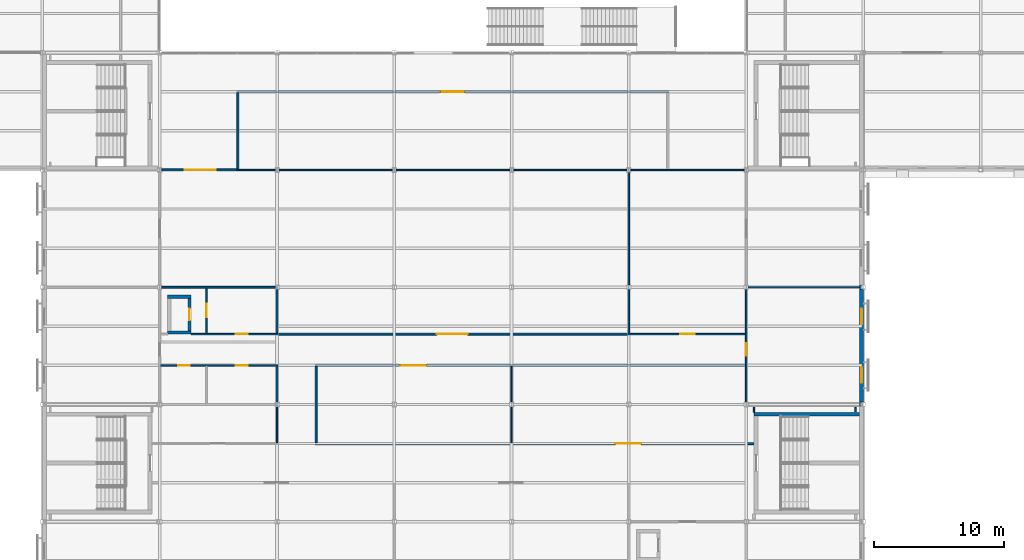
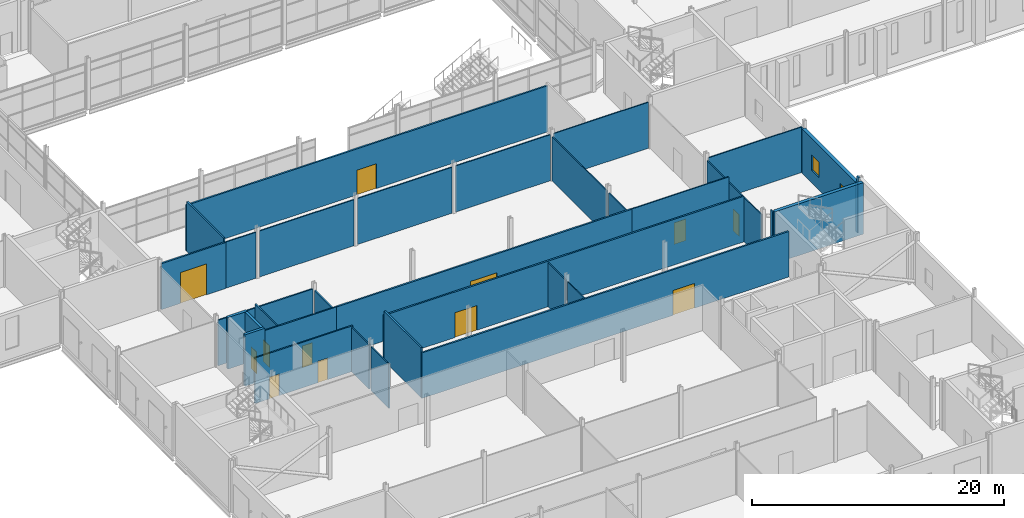
# One storey, part 80 of 112: 35 walls, 12 doors, 2 windows, 14 openings.
"""IFC4 building model written with IfcOpenShell, lengths in metres."""

from ifc_helpers import new_model, si_unit, direction, frame, frame_2d, origin, place, context, subcontext, project, spatial, rectangle, extrude, material, layer, layer_set, type_object, element, fill, save


model = new_model("IFC4")

# Units and contexts
model_context = context("Model", 3, precision=1e-05, world=origin(), true_north=direction((0.0, 1.0)))
body_context = subcontext(model_context, "Body", "Model", "MODEL_VIEW")
ifc_project = project(units=[si_unit("LENGTHUNIT", "METRE"), si_unit("AREAUNIT", "SQUARE_METRE"), si_unit("VOLUMEUNIT", "CUBIC_METRE"), si_unit("PLANEANGLEUNIT", "RADIAN"), si_unit("MASSUNIT", "GRAM", prefix="KILO")], contexts=[model_context])

# Site, building, storey
site_placement = place(None, origin())
site = spatial("IfcSite", under=ifc_project, at=site_placement, CompositionType="ELEMENT")
building_placement = place(site_placement, origin())
building = spatial("IfcBuilding", under=site, at=building_placement, Name="Shorebreak Coast Museum", CompositionType="ELEMENT")
storey_placement = place(building_placement, frame((0.0, 0.0, 6.0)))
storey = spatial("IfcBuildingStorey", under=building, at=storey_placement, Name="L01", CompositionType="ELEMENT", Elevation=6.0)

# Walls
ifc_material_1 = material(Name="Concrete N50 (50 MPa)", Category="concrete")
ifc_layer_1 = layer(ifc_material_1, 0.14990234375)
ifc_layer_set_1 = layer_set([ifc_layer_1], Name="Concrete N50 (50 MPa)")
wall_type_1 = type_object("IfcWallType", Name="Column closure panel 150", PredefinedType="SOLIDWALL", material=ifc_layer_set_1)
wall_1_placement = place(storey_placement, frame((116.77490234375, 35.85009765625, 0.0), z_axis=(0.0, 0.0, 1.0), x_axis=(0.0, 1.0, 0.0)))
element("IfcWall", 1, at=wall_1_placement, inside=storey, type_object=wall_type_1, Name="Column closure panel L01 E 14E", PredefinedType="SOLIDWALL", context=body_context, shape_type="SweptSolid", body=[
    extrude(rectangle(XDim=0.322021484375, YDim=0.14990234375, at=frame_2d((0.1611328125, 0.0))), origin(), (0.0, 0.0, 1.0), 5.0),
])
wall_2_placement = place(storey_placement, frame((116.77490234375, 44.839111328125, 0.0), z_axis=(0.0, 0.0, 1.0), x_axis=(0.0, 1.0, 0.0)))
element("IfcWall", 2, at=wall_2_placement, inside=storey, type_object=wall_type_1, Name="Column closure panel L01 E 14F", PredefinedType="SOLIDWALL", context=body_context, shape_type="SweptSolid", body=[
    extrude(rectangle(XDim=0.32177734375, YDim=0.14990234375, at=frame_2d((0.160888671875, 0.0))), origin(), (0.0, 0.0, 1.0), 4.296875),
])

# Wall, opening, door
ifc_material_2 = material(Name="Plasterboard on steel stud", Category="steel")
ifc_layer_2 = layer(ifc_material_2, 0.14990234375)
ifc_layer_set_2 = layer_set([ifc_layer_2], Name="Plasterboard on steel stud")
wall_type_2 = type_object("IfcWallType", Name="Fire partition 150", PredefinedType="PARTITIONING", material=ifc_layer_set_2)
wall_3_placement = place(storey_placement, frame((74.925048828125, 33.0, 0.0), z_axis=(0.0, 0.0, 1.0), x_axis=(1.0, 0.0, 0.0)))
wall_3 = element("IfcWall", 3, at=wall_3_placement, inside=storey, type_object=wall_type_2, Name="Partition L01-018", PredefinedType="PARTITIONING", context=body_context, shape_type="SweptSolid", body=[
    extrude(rectangle(XDim=33.675048828125, YDim=0.14990234375, at=frame_2d((16.83740234375, 0.0))), origin(), (0.0, 0.0, 1.0), 4.418701171875),
])
opening_1_placement = place(wall_3_placement, frame((23.02490234375, 0.0, 0.0)))
opening_1 = element("IfcOpeningElement", 4, at=opening_1_placement, cuts=wall_3, Name="Opening D1031", PredefinedType="OPENING", context=body_context, shape_type="SweptSolid", body=[
    extrude(rectangle(XDim=2.0, YDim=2.39990234375, at=frame_2d((1.0, 1.199951171875))), frame((0.0, 0.0849609375, 0.0), z_axis=(0.0, -1.0, 0.0), x_axis=(1.0, 0.0, 0.0)), (0.0, 0.0, 1.0), 0.169921875),
])
ifc_material_3 = material(Name="Steel", Category="steel")
door_type_1 = type_object("IfcDoorType", Name="Fire door 2000x2400 60", OperationType="DOUBLE_DOOR_SINGLE_SWING", PredefinedType="DOOR", material=ifc_material_3)
door_1_placement = place(opening_1_placement, origin())
door_1 = element("IfcDoor", 5, at=door_1_placement, inside=storey, type_object=door_type_1, Name="Door D1031 Archive 1.04", OperationType="DOUBLE_DOOR_SINGLE_SWING", OverallHeight=2.39990234375, OverallWidth=2.0, PredefinedType="DOOR", context=body_context, shape_type="SweptSolid", body=[
    extrude(rectangle(XDim=2.0, YDim=2.39990234375, at=frame_2d((1.0, 1.199951171875))), frame((0.0, 0.02490234375, 0.0), z_axis=(0.0, -1.0, 0.0), x_axis=(1.0, 0.0, 0.0)), (0.0, 0.0, 1.0), 0.050048828125),
])
fill(opening_1, door_1)

wall_4_placement = place(storey_placement, frame((74.925048828125, 39.0, 0.0), z_axis=(0.0, 0.0, 1.0), x_axis=(1.0, 0.0, 0.0)))
wall_4 = element("IfcWall", 6, at=wall_4_placement, inside=storey, type_object=wall_type_2, Name="Partition L01-021", PredefinedType="PARTITIONING", context=body_context, shape_type="SweptSolid", body=[
    extrude(rectangle(XDim=33.02490234375, YDim=0.14990234375, at=frame_2d((16.512451171875, 0.0))), origin(), (0.0, 0.0, 1.0), 4.418701171875),
])
opening_2_placement = place(wall_4_placement, frame((6.52490234375, 0.0, 0.0)))
opening_2 = element("IfcOpeningElement", 7, at=opening_2_placement, cuts=wall_4, Name="Opening D1030", PredefinedType="OPENING", context=body_context, shape_type="SweptSolid", body=[
    extrude(rectangle(XDim=2.0, YDim=2.39990234375, at=frame_2d((1.0, 1.199951171875))), frame((0.0, 0.0849609375, 0.0), z_axis=(0.0, -1.0, 0.0), x_axis=(1.0, 0.0, 0.0)), (0.0, 0.0, 1.0), 0.169921875),
])
door_2_placement = place(opening_2_placement, origin())
door_2 = element("IfcDoor", 8, at=door_2_placement, inside=storey, type_object=door_type_1, Name="Door D1030 Archive 1.03", OperationType="DOUBLE_DOOR_SINGLE_SWING", OverallHeight=2.39990234375, OverallWidth=2.0, PredefinedType="DOOR", context=body_context, shape_type="SweptSolid", body=[
    extrude(rectangle(XDim=2.0, YDim=2.39990234375, at=frame_2d((1.0, 1.199951171875))), frame((0.0, 0.02490234375, 0.0), z_axis=(0.0, -1.0, 0.0), x_axis=(1.0, 0.0, 0.0)), (0.0, 0.0, 1.0), 0.050048828125),
])
fill(opening_2, door_2)

wall_5_placement = place(storey_placement, frame((71.9375, 41.39990234375, 0.0), z_axis=(0.0, 0.0, 1.0), x_axis=(1.0, 0.0, 0.0)))
wall_5 = element("IfcWall", 9, at=wall_5_placement, inside=storey, type_object=wall_type_2, Name="Partition L01-024", PredefinedType="PARTITIONING", context=body_context, shape_type="SweptSolid", body=[
    extrude(rectangle(XDim=27.112548828125, YDim=0.14990234375, at=frame_2d((13.55615234375, 0.0))), origin(), (0.0, 0.0, 1.0), 4.824951171875),
])
opening_3_placement = place(wall_5_placement, frame((12.3125, 0.0, 0.0)))
opening_3 = element("IfcOpeningElement", 10, at=opening_3_placement, cuts=wall_5, Name="Opening D1039", PredefinedType="OPENING", context=body_context, shape_type="SweptSolid", body=[
    extrude(rectangle(XDim=2.39990234375, YDim=3.0, at=frame_2d((1.199951171875, 1.5))), frame((0.0, 0.0849609375, 0.0), z_axis=(0.0, -1.0, 0.0), x_axis=(1.0, 0.0, 0.0)), (0.0, 0.0, 1.0), 0.169921875),
])
ifc_material_4 = material(Name="Steel", Category="steel")
door_type_2 = type_object("IfcDoorType", Name="Fire door 2400x3000 60", OperationType="DOUBLE_DOOR_SINGLE_SWING", PredefinedType="DOOR", material=ifc_material_4)
door_3_placement = place(opening_3_placement, origin())
door_3 = element("IfcDoor", 11, at=door_3_placement, inside=storey, type_object=door_type_2, Name="Door D1039 Archive 1.05", OperationType="DOUBLE_DOOR_SINGLE_SWING", OverallHeight=3.0, OverallWidth=2.39990234375, PredefinedType="DOOR", context=body_context, shape_type="SweptSolid", body=[
    extrude(rectangle(XDim=2.39990234375, YDim=3.0, at=frame_2d((1.199951171875, 1.5))), frame((0.0, 0.02490234375, 0.0), z_axis=(0.0, -1.0, 0.0), x_axis=(1.0, 0.0, 0.0)), (0.0, 0.0, 1.0), 0.050048828125),
])
fill(opening_3, door_3)

wall_6_placement = place(storey_placement, frame((63.154541015625, 54.0, 0.0), z_axis=(0.0, 0.0, 1.0), x_axis=(1.0, 0.0, 0.0)))
wall_6 = element("IfcWall", 12, at=wall_6_placement, inside=storey, type_object=wall_type_2, Name="Partition L01-029", PredefinedType="PARTITIONING", context=body_context, shape_type="SweptSolid", body=[
    extrude(rectangle(XDim=5.92041015625, YDim=0.14990234375, at=frame_2d((2.960205078125, 0.0))), origin(), (0.0, 0.0, 1.0), 4.46630859375),
])
opening_4_placement = place(wall_6_placement, frame((1.75, 0.0, 0.0)))
opening_4 = element("IfcOpeningElement", 13, at=opening_4_placement, cuts=wall_6, Name="Opening D1059", PredefinedType="OPENING", context=body_context, shape_type="SweptSolid", body=[
    extrude(rectangle(XDim=2.39990234375, YDim=3.0, at=frame_2d((1.199951171875, 1.5))), frame((0.0, 0.0849609375, 0.0), z_axis=(0.0, -1.0, 0.0), x_axis=(1.0, 0.0, 0.0)), (0.0, 0.0, 1.0), 0.169921875),
])
door_4_placement = place(opening_4_placement, origin())
door_4 = element("IfcDoor", 14, at=door_4_placement, inside=storey, type_object=door_type_2, Name="Door D1059 Archive 1.05", OperationType="DOUBLE_DOOR_SINGLE_SWING", OverallHeight=3.0, OverallWidth=2.39990234375, PredefinedType="DOOR", context=body_context, shape_type="SweptSolid", body=[
    extrude(rectangle(XDim=2.39990234375, YDim=3.0, at=frame_2d((1.199951171875, 1.5))), frame((0.0, 0.02490234375, 0.0), z_axis=(0.0, -1.0, 0.0), x_axis=(1.0, 0.0, 0.0)), (0.0, 0.0, 1.0), 0.050048828125),
])
fill(opening_4, door_4)

wall_7_placement = place(storey_placement, frame((68.925048828125, 60.0, 0.0), z_axis=(0.0, 0.0, 1.0), x_axis=(1.0, 0.0, 0.0)))
wall_7 = element("IfcWall", 15, at=wall_7_placement, inside=storey, type_object=wall_type_2, Name="Partition L01-041", PredefinedType="PARTITIONING", context=body_context, shape_type="SweptSolid", body=[
    extrude(rectangle(XDim=33.14990234375, YDim=0.14990234375, at=frame_2d((16.574951171875, 0.0))), origin(), (0.0, 0.0, 1.0), 4.472900390625),
])
opening_5_placement = place(wall_7_placement, frame((15.625, 0.0, 0.0)))
opening_5 = element("IfcOpeningElement", 16, at=opening_5_placement, cuts=wall_7, Name="Opening D1003", PredefinedType="OPENING", context=body_context, shape_type="SweptSolid", body=[
    extrude(rectangle(XDim=1.800048828125, YDim=2.39990234375, at=frame_2d((0.89990234375, 1.199951171875))), frame((0.0, 0.0849609375, 0.0), z_axis=(0.0, -1.0, 0.0), x_axis=(1.0, 0.0, 0.0)), (0.0, 0.0, 1.0), 0.169921875),
])
ifc_material_5 = material(Name="Steel", Category="steel")
door_type_3 = type_object("IfcDoorType", Name="Fire door 1800x2400 60", OperationType="DOUBLE_DOOR_SINGLE_SWING", PredefinedType="DOOR", material=ifc_material_5)
door_5_placement = place(opening_5_placement, origin())
door_5 = element("IfcDoor", 17, at=door_5_placement, inside=storey, type_object=door_type_3, Name="Door D1003 Surf Craft Gallery", OperationType="DOUBLE_DOOR_SINGLE_SWING", OverallHeight=2.39990234375, OverallWidth=1.800048828125, PredefinedType="DOOR", context=body_context, shape_type="SweptSolid", body=[
    extrude(rectangle(XDim=1.800048828125, YDim=2.39990234375, at=frame_2d((0.89990234375, 1.199951171875))), frame((0.0, 0.02490234375, 0.0), z_axis=(0.0, -1.0, 0.0), x_axis=(1.0, 0.0, 0.0)), (0.0, 0.0, 1.0), 0.050048828125),
])
fill(opening_5, door_5)

# Walls
for number, where, z_axis, x_axis, name in (
    (18, (69.0, 54.074951171875, 0.0), (0.0, 0.0, 1.0), (0.0, 1.0, 0.0), "Partition L01-123"),
    (19, (75.0, 33.074951171875, 0.0), (0.0, 0.0, 1.0), (0.0, 1.0, 0.0), "Partition L01-129"),
):
    element("IfcWall", number, at=place(storey_placement, frame(where, z_axis=z_axis, x_axis=x_axis)), inside=storey, type_object=wall_type_2, Name=name, PredefinedType="PARTITIONING", context=body_context, shape_type="SweptSolid", body=[
        extrude(rectangle(XDim=5.85009765625, YDim=0.14990234375, at=frame_2d((2.925048828125, 0.0))), origin(), (0.0, 0.0, 1.0), 4.824951171875),
    ])

# Wall, opening, door
ifc_material_6 = material(Name="Plasterboard on steel stud", Category="steel")
ifc_layer_3 = layer(ifc_material_6, 0.10009765625)
ifc_layer_set_3 = layer_set([ifc_layer_3], Name="Plasterboard on steel stud")
wall_type_3 = type_object("IfcWallType", Name="Partition 100", PredefinedType="PARTITIONING", material=ifc_layer_set_3)
wall_8_placement = place(storey_placement, frame((98.949951171875, 41.39990234375, 0.0), z_axis=(0.0, 0.0, 1.0), x_axis=(1.0, 0.0, 0.0)))
wall_8 = element("IfcWall", 20, at=wall_8_placement, inside=storey, type_object=wall_type_3, Name="Partition L01-025", PredefinedType="PARTITIONING", context=body_context, shape_type="SweptSolid", body=[
    extrude(rectangle(XDim=9.0, YDim=0.10009765625, at=frame_2d((4.5, 0.0))), origin(), (0.0, 0.0, 1.0), 4.824951171875),
])
opening_6_placement = place(wall_8_placement, frame((4.0, 0.0, 0.0)))
opening_6 = element("IfcOpeningElement", 21, at=opening_6_placement, cuts=wall_8, Name="Opening D1040", PredefinedType="OPENING", context=body_context, shape_type="SweptSolid", body=[
    extrude(rectangle(XDim=1.10009765625, YDim=2.10009765625, at=frame_2d((0.550048828125, 1.050048828125))), frame((0.0, 0.06005859375, 0.0), z_axis=(0.0, -1.0, 0.0), x_axis=(1.0, 0.0, 0.0)), (0.0, 0.0, 1.0), 0.1201171875),
])
ifc_material_7 = material(Name="Timber", Category="wood")
door_type_4 = type_object("IfcDoorType", Name="Interior door 1100x2100", OperationType="SINGLE_SWING_LEFT", PredefinedType="DOOR", material=ifc_material_7)
door_6_placement = place(opening_6_placement, origin())
door_6 = element("IfcDoor", 22, at=door_6_placement, inside=storey, type_object=door_type_4, Name="Door D1040 Staff Room 1.01", OperationType="SINGLE_SWING_RIGHT", OverallHeight=2.10009765625, OverallWidth=1.10009765625, PredefinedType="DOOR", context=body_context, shape_type="SweptSolid", body=[
    extrude(rectangle(XDim=1.10009765625, YDim=2.10009765625, at=frame_2d((0.550048828125, 1.050048828125))), frame((0.0, 0.02490234375, 0.0), z_axis=(0.0, -1.0, 0.0), x_axis=(1.0, 0.0, 0.0)), (0.0, 0.0, 1.0), 0.050048828125),
])
fill(opening_6, door_6)

# Walls
wall_9_placement = place(storey_placement, frame((108.154541015625, 45.0, 0.0), z_axis=(0.0, 0.0, 1.0), x_axis=(1.0, 0.0, 0.0)))
element("IfcWall", 23, at=wall_9_placement, inside=storey, type_object=wall_type_3, Name="Partition L01-028", PredefinedType="PARTITIONING", context=body_context, shape_type="SweptSolid", body=[
    extrude(rectangle(XDim=8.54541015625, YDim=0.10009765625, at=frame_2d((4.272705078125, 0.0))), origin(), (0.0, 0.0, 1.0), 4.418701171875),
])
wall_10_placement = place(storey_placement, frame((68.925048828125, 54.0, 0.0), z_axis=(0.0, 0.0, 1.0), x_axis=(1.0, 0.0, 0.0)))
element("IfcWall", 24, at=wall_10_placement, inside=storey, type_object=wall_type_3, Name="Partition L01-030", PredefinedType="PARTITIONING", context=body_context, shape_type="SweptSolid", body=[
    extrude(rectangle(XDim=2.92041015625, YDim=0.10009765625, at=frame_2d((1.460205078125, 0.0))), origin(), (0.0, 0.0, 1.0), 4.46630859375),
])
for number, where, z_axis, x_axis, name in (
    (25, (72.154541015625, 54.0, 0.0), (0.0, 0.0, 1.0), (1.0, 0.0, 0.0), "Partition L01-031"),
    (26, (81.154541015625, 54.0, 0.0), (0.0, 0.0, 1.0), (1.0, 0.0, 0.0), "Partition L01-032"),
    (27, (90.154541015625, 54.0, 0.0), (0.0, 0.0, 1.0), (1.0, 0.0, 0.0), "Partition L01-033"),
    (28, (99.154541015625, 54.0, 0.0), (0.0, 0.0, 1.0), (1.0, 0.0, 0.0), "Partition L01-034"),
):
    element("IfcWall", number, at=place(storey_placement, frame(where, z_axis=z_axis, x_axis=x_axis)), inside=storey, type_object=wall_type_3, Name=name, PredefinedType="PARTITIONING", context=body_context, shape_type="SweptSolid", body=[
        extrude(rectangle(XDim=8.69091796875, YDim=0.10009765625, at=frame_2d((4.345458984375, 0.0))), origin(), (0.0, 0.0, 1.0), 4.46630859375),
    ])
wall_11_placement = place(storey_placement, frame((72.0, 33.050048828125, 0.0), z_axis=(0.0, 0.0, 1.0), x_axis=(0.0, 1.0, 0.0)))
element("IfcWall", 29, at=wall_11_placement, inside=storey, type_object=wall_type_3, Name="Partition L01-124", PredefinedType="PARTITIONING", context=body_context, shape_type="SweptSolid", body=[
    extrude(rectangle(XDim=2.78955078125, YDim=0.10009765625, at=frame_2d((1.394775390625, 0.0))), origin(), (0.0, 0.0, 1.0), 4.296875),
])
for number, where, z_axis, x_axis, name in (
    (30, (90.0, 33.074951171875, 0.0), (0.0, 0.0, 1.0), (0.0, 1.0, 0.0), "Partition L01-137"),
    (31, (90.0, 36.160400390625, 0.0), (0.0, 0.0, 1.0), (0.0, 1.0, 0.0), "Partition L01-138"),
):
    element("IfcWall", number, at=place(storey_placement, frame(where, z_axis=z_axis, x_axis=x_axis)), inside=storey, type_object=wall_type_3, Name=name, PredefinedType="PARTITIONING", context=body_context, shape_type="SweptSolid", body=[
        extrude(rectangle(XDim=2.7646484375, YDim=0.10009765625, at=frame_2d((1.38232421875, 0.0))), origin(), (0.0, 0.0, 1.0), 4.296875),
    ])
wall_12_placement = place(storey_placement, frame((99.0, 41.47509765625, 0.0), z_axis=(0.0, 0.0, 1.0), x_axis=(0.0, 1.0, 0.0)))
element("IfcWall", 32, at=wall_12_placement, inside=storey, type_object=wall_type_3, Name="Partition L01-144", PredefinedType="PARTITIONING", context=body_context, shape_type="SweptSolid", body=[
    extrude(rectangle(XDim=3.364501953125, YDim=0.10009765625, at=frame_2d((1.68212890625, 0.0))), origin(), (0.0, 0.0, 1.0), 4.296875),
])
wall_13_placement = place(storey_placement, frame((99.0, 45.160400390625, 0.0), z_axis=(0.0, 0.0, 1.0), x_axis=(0.0, 1.0, 0.0)))
element("IfcWall", 33, at=wall_13_placement, inside=storey, type_object=wall_type_3, Name="Partition L01-145", PredefinedType="PARTITIONING", context=body_context, shape_type="SweptSolid", body=[
    extrude(rectangle(XDim=8.67919921875, YDim=0.10009765625, at=frame_2d((4.339599609375, 0.0))), origin(), (0.0, 0.0, 1.0), 4.296875),
])

# Wall, opening, door
wall_14_placement = place(storey_placement, frame((108.0, 36.160400390625, 0.0), z_axis=(0.0, 0.0, 1.0), x_axis=(0.0, 1.0, 0.0)))
wall_14 = element("IfcWall", 34, at=wall_14_placement, inside=storey, type_object=wall_type_3, Name="Partition L01-154", PredefinedType="PARTITIONING", context=body_context, shape_type="SweptSolid", body=[
    extrude(rectangle(XDim=8.67919921875, YDim=0.10009765625, at=frame_2d((4.339599609375, 0.0))), origin(), (0.0, 0.0, 1.0), 4.296875),
])
opening_7_placement = place(wall_14_placement, frame((3.589599609375, 0.0, 0.0)))
opening_7 = element("IfcOpeningElement", 35, at=opening_7_placement, cuts=wall_14, Name="Opening D1038", PredefinedType="OPENING", context=body_context, shape_type="SweptSolid", body=[
    extrude(rectangle(XDim=0.949951171875, YDim=2.10009765625, at=frame_2d((0.47509765625, 1.050048828125))), frame((0.0, 0.06005859375, 0.0), z_axis=(0.0, -1.0, 0.0), x_axis=(1.0, 0.0, 0.0)), (0.0, 0.0, 1.0), 0.1201171875),
])
ifc_material_8 = material(Name="Timber", Category="wood")
door_type_5 = type_object("IfcDoorType", Name="Interior door 950x2100", OperationType="SINGLE_SWING_LEFT", PredefinedType="DOOR", material=ifc_material_8)
door_7_placement = place(opening_7_placement, origin())
door_7 = element("IfcDoor", 36, at=door_7_placement, inside=storey, type_object=door_type_5, Name="Door D1038 Collections Office 1.02", OperationType="SINGLE_SWING_RIGHT", OverallHeight=2.10009765625, OverallWidth=0.949951171875, PredefinedType="DOOR", context=body_context, shape_type="SweptSolid", body=[
    extrude(rectangle(XDim=0.949951171875, YDim=2.10009765625, at=frame_2d((0.47509765625, 1.050048828125))), frame((0.0, 0.02490234375, 0.0), z_axis=(0.0, -1.0, 0.0), x_axis=(1.0, 0.0, 0.0)), (0.0, 0.0, 1.0), 0.050048828125),
])
fill(opening_7, door_7)

# Walls
wall_15_placement = place(storey_placement, frame((108.60009765625, 35.39990234375, 0.0), z_axis=(0.0, 0.0, 1.0), x_axis=(0.0, 1.0, 0.0)))
element("IfcWall", 37, at=wall_15_placement, inside=storey, type_object=wall_type_3, Name="Partition L01-160", PredefinedType="PARTITIONING", context=body_context, shape_type="SweptSolid", body=[
    extrude(rectangle(XDim=0.380126953125, YDim=0.10009765625, at=frame_2d((0.18994140625, 0.0))), origin(), (0.0, 0.0, 1.0), 4.824951171875),
])
wall_16_placement = place(storey_placement, frame((116.39990234375, 35.449951171875, 0.0), z_axis=(0.0, 0.0, 1.0), x_axis=(0.0, 1.0, 0.0)))
element("IfcWall", 38, at=wall_16_placement, inside=storey, type_object=wall_type_3, Name="Partition L01-169", PredefinedType="PARTITIONING", context=body_context, shape_type="SweptSolid", body=[
    extrude(rectangle(XDim=0.330078125, YDim=0.10009765625, at=frame_2d((0.1650390625, 0.0))), origin(), (0.0, 0.0, 1.0), 4.824951171875),
])

# Wall, openings, doors
ifc_material_9 = material(Name="Plasterboard on steel stud", Category="steel")
ifc_layer_4 = layer(ifc_material_9, 0.125)
ifc_layer_set_4 = layer_set([ifc_layer_4], Name="Plasterboard on steel stud")
wall_type_4 = type_object("IfcWallType", Name="Partition 125", PredefinedType="PARTITIONING", material=ifc_layer_set_4)
wall_17_placement = place(storey_placement, frame((63.0625, 39.0, 0.0), z_axis=(0.0, 0.0, 1.0), x_axis=(1.0, 0.0, 0.0)))
wall_17 = element("IfcWall", 39, at=wall_17_placement, inside=storey, type_object=wall_type_4, Name="Partition L01-020", PredefinedType="PARTITIONING", context=body_context, shape_type="SweptSolid", body=[
    extrude(rectangle(XDim=9.0, YDim=0.125, at=frame_2d((4.5, 0.0))), origin(), (0.0, 0.0, 1.0), 4.418701171875),
])
opening_8_placement = place(wall_17_placement, frame((1.35009765625, 0.0, 0.0)))
opening_8 = element("IfcOpeningElement", 40, at=opening_8_placement, cuts=wall_17, Name="Opening D1035", PredefinedType="OPENING", context=body_context, shape_type="SweptSolid", body=[
    extrude(rectangle(XDim=0.89990234375, YDim=2.10009765625, at=frame_2d((0.449951171875, 1.050048828125))), frame((0.0, 0.072509765625, 0.0), z_axis=(0.0, -1.0, 0.0), x_axis=(1.0, 0.0, 0.0)), (0.0, 0.0, 1.0), 0.14501953125),
])
opening_9_placement = place(wall_17_placement, frame((5.78759765625, 0.0, 0.0)))
opening_9 = element("IfcOpeningElement", 41, at=opening_9_placement, cuts=wall_17, Name="Opening D1036", PredefinedType="OPENING", context=body_context, shape_type="SweptSolid", body=[
    extrude(rectangle(XDim=0.89990234375, YDim=2.10009765625, at=frame_2d((0.449951171875, 1.050048828125))), frame((0.0, 0.072509765625, 0.0), z_axis=(0.0, -1.0, 0.0), x_axis=(1.0, 0.0, 0.0)), (0.0, 0.0, 1.0), 0.14501953125),
])
ifc_material_10 = material(Name="Timber", Category="wood")
door_type_6 = type_object("IfcDoorType", Name="Interior door 900x2100", OperationType="SINGLE_SWING_LEFT", PredefinedType="DOOR", material=ifc_material_10)
door_8_placement = place(opening_8_placement, origin())
door_8 = element("IfcDoor", 42, at=door_8_placement, inside=storey, type_object=door_type_6, Name="Door D1035 Accessible WC S", OperationType="SINGLE_SWING_RIGHT", OverallHeight=2.10009765625, OverallWidth=0.89990234375, PredefinedType="DOOR", context=body_context, shape_type="SweptSolid", body=[
    extrude(rectangle(XDim=0.89990234375, YDim=2.10009765625, at=frame_2d((0.449951171875, 1.050048828125))), frame((0.0, 0.02490234375, 0.0), z_axis=(0.0, -1.0, 0.0), x_axis=(1.0, 0.0, 0.0)), (0.0, 0.0, 1.0), 0.050048828125),
])
fill(opening_8, door_8)
door_9_placement = place(opening_9_placement, origin())
door_9 = element("IfcDoor", 43, at=door_9_placement, inside=storey, type_object=door_type_6, Name="Door D1036 Male WC S", OperationType="SINGLE_SWING_LEFT", OverallHeight=2.10009765625, OverallWidth=0.89990234375, PredefinedType="DOOR", context=body_context, shape_type="SweptSolid", body=[
    extrude(rectangle(XDim=0.89990234375, YDim=2.10009765625, at=frame_2d((0.449951171875, 1.050048828125))), frame((0.0, 0.02490234375, 0.0), z_axis=(0.0, -1.0, 0.0), x_axis=(1.0, 0.0, 0.0)), (0.0, 0.0, 1.0), 0.050048828125),
])
fill(opening_9, door_9)

# Wall, opening, door
wall_18_placement = place(storey_placement, frame((65.39990234375, 41.39990234375, 0.0), z_axis=(0.0, 0.0, 1.0), x_axis=(1.0, 0.0, 0.0)))
wall_18 = element("IfcWall", 44, at=wall_18_placement, inside=storey, type_object=wall_type_4, Name="Partition L01-023", PredefinedType="PARTITIONING", context=body_context, shape_type="SweptSolid", body=[
    extrude(rectangle(XDim=6.66259765625, YDim=0.125, at=frame_2d((3.331298828125, 0.0))), origin(), (0.0, 0.0, 1.0), 4.824951171875),
])
opening_10_placement = place(wall_18_placement, frame((3.449951171875, 0.0, 0.0)))
opening_10 = element("IfcOpeningElement", 45, at=opening_10_placement, cuts=wall_18, Name="Opening D1034", PredefinedType="OPENING", context=body_context, shape_type="SweptSolid", body=[
    extrude(rectangle(XDim=0.89990234375, YDim=2.10009765625, at=frame_2d((0.449951171875, 1.050048828125))), frame((0.0, 0.072509765625, 0.0), z_axis=(0.0, -1.0, 0.0), x_axis=(1.0, 0.0, 0.0)), (0.0, 0.0, 1.0), 0.14501953125),
])
door_10_placement = place(opening_10_placement, origin())
door_10 = element("IfcDoor", 46, at=door_10_placement, inside=storey, type_object=door_type_6, Name="Door D1034 Female WC S", OperationType="SINGLE_SWING_RIGHT", OverallHeight=2.10009765625, OverallWidth=0.89990234375, PredefinedType="DOOR", context=body_context, shape_type="SweptSolid", body=[
    extrude(rectangle(XDim=0.89990234375, YDim=2.10009765625, at=frame_2d((0.449951171875, 1.050048828125))), frame((0.0, 0.02490234375, 0.0), z_axis=(0.0, -1.0, 0.0), x_axis=(1.0, 0.0, 0.0)), (0.0, 0.0, 1.0), 0.050048828125),
])
fill(opening_10, door_10)

# Wall
wall_19_placement = place(storey_placement, frame((63.154541015625, 45.0, 0.0), z_axis=(0.0, 0.0, 1.0), x_axis=(1.0, 0.0, 0.0)))
element("IfcWall", 47, at=wall_19_placement, inside=storey, type_object=wall_type_4, Name="Partition L01-027", PredefinedType="PARTITIONING", context=body_context, shape_type="SweptSolid", body=[
    extrude(rectangle(XDim=8.69091796875, YDim=0.125, at=frame_2d((4.345458984375, 0.0))), origin(), (0.0, 0.0, 1.0), 4.418701171875),
])

# Wall, opening, door
wall_20_placement = place(storey_placement, frame((66.60009765625, 41.46240234375, 0.0), z_axis=(0.0, 0.0, 1.0), x_axis=(0.0, 1.0, 0.0)))
wall_20 = element("IfcWall", 48, at=wall_20_placement, inside=storey, type_object=wall_type_4, Name="Partition L01-122", PredefinedType="PARTITIONING", context=body_context, shape_type="SweptSolid", body=[
    extrude(rectangle(XDim=3.47509765625, YDim=0.125, at=frame_2d((1.737548828125, 0.0))), origin(), (0.0, 0.0, 1.0), 4.824951171875),
])
opening_11_placement = place(wall_20_placement, frame((1.25, 0.0, 0.0)))
opening_11 = element("IfcOpeningElement", 49, at=opening_11_placement, cuts=wall_20, Name="Opening D1033", PredefinedType="OPENING", context=body_context, shape_type="SweptSolid", body=[
    extrude(rectangle(XDim=1.0, YDim=2.10009765625, at=frame_2d((0.5, 1.050048828125))), frame((0.0, 0.072509765625, 0.0), z_axis=(0.0, -1.0, 0.0), x_axis=(1.0, 0.0, 0.0)), (0.0, 0.0, 1.0), 0.14501953125),
])
ifc_material_11 = material(Name="Timber", Category="wood")
door_type_7 = type_object("IfcDoorType", Name="Interior door 1000x2100", OperationType="SINGLE_SWING_LEFT", PredefinedType="DOOR", material=ifc_material_11)
door_11_placement = place(opening_11_placement, origin())
door_11 = element("IfcDoor", 50, at=door_11_placement, inside=storey, type_object=door_type_7, Name="Door D1033 Cleaner Store S", OperationType="SINGLE_SWING_LEFT", OverallHeight=2.10009765625, OverallWidth=1.0, PredefinedType="DOOR", context=body_context, shape_type="SweptSolid", body=[
    extrude(rectangle(XDim=1.0, YDim=2.10009765625, at=frame_2d((0.5, 1.050048828125))), frame((0.0, 0.02490234375, 0.0), z_axis=(0.0, -1.0, 0.0), x_axis=(1.0, 0.0, 0.0)), (0.0, 0.0, 1.0), 0.050048828125),
])
fill(opening_11, door_11)

# Walls
wall_21_placement = place(storey_placement, frame((72.0, 36.160400390625, 0.0), z_axis=(0.0, 0.0, 1.0), x_axis=(0.0, 1.0, 0.0)))
element("IfcWall", 51, at=wall_21_placement, inside=storey, type_object=wall_type_4, Name="Partition L01-125", PredefinedType="PARTITIONING", context=body_context, shape_type="SweptSolid", body=[
    extrude(rectangle(XDim=2.777099609375, YDim=0.125, at=frame_2d((1.388671875, 0.0))), origin(), (0.0, 0.0, 1.0), 4.296875),
])
wall_22_placement = place(storey_placement, frame((72.0, 41.47509765625, 0.0), z_axis=(0.0, 0.0, 1.0), x_axis=(0.0, 1.0, 0.0)))
element("IfcWall", 52, at=wall_22_placement, inside=storey, type_object=wall_type_4, Name="Partition L01-126", PredefinedType="PARTITIONING", context=body_context, shape_type="SweptSolid", body=[
    extrude(rectangle(XDim=3.364501953125, YDim=0.125, at=frame_2d((1.68212890625, 0.0))), origin(), (0.0, 0.0, 1.0), 4.296875),
])
ifc_material_12 = material(Name="Concrete N50 (50 MPa)", Category="concrete")
ifc_layer_5 = layer(ifc_material_12, 0.25)
ifc_layer_set_5 = layer_set([ifc_layer_5], Name="Concrete N50 (50 MPa)")
wall_type_5 = type_object("IfcWallType", Name="RC riser wall 250", PredefinedType="STANDARD", material=ifc_layer_set_5)
for number, where, z_axis, x_axis, name in (
    (53, (63.60009765625, 41.52490234375, 0.0), (0.0, 0.0, 1.0), (1.0, 0.0, 0.0), "Riser wall R-WC-S L01 S"),
    (54, (63.60009765625, 44.27490234375, 0.0), (0.0, 0.0, 1.0), (1.0, 0.0, 0.0), "Riser wall R-WC-S L01 N"),
):
    element("IfcWall", number, at=place(storey_placement, frame(where, z_axis=z_axis, x_axis=x_axis)), inside=storey, type_object=wall_type_5, Name=name, PredefinedType="STANDARD", context=body_context, shape_type="SweptSolid", body=[
        extrude(rectangle(XDim=1.7998046875, YDim=0.25, at=frame_2d((0.89990234375, 0.0))), origin(), (0.0, 0.0, 1.0), 5.0),
    ])

# Wall, opening, door
wall_23_placement = place(storey_placement, frame((65.27490234375, 41.64990234375, 0.0), z_axis=(0.0, 0.0, 1.0), x_axis=(0.0, 1.0, 0.0)))
wall_23 = element("IfcWall", 55, at=wall_23_placement, inside=storey, type_object=wall_type_5, Name="Riser wall R-WC-S L01 E", PredefinedType="STANDARD", context=body_context, shape_type="SweptSolid", body=[
    extrude(rectangle(XDim=2.5, YDim=0.25, at=frame_2d((1.25, 0.0))), origin(), (0.0, 0.0, 1.0), 5.0),
])
opening_12_placement = place(wall_23_placement, frame((0.800048828125, 0.0, 0.0)))
opening_12 = element("IfcOpeningElement", 56, at=opening_12_placement, cuts=wall_23, Name="Opening D1605", PredefinedType="OPENING", context=body_context, shape_type="SweptSolid", body=[
    extrude(rectangle(XDim=0.89990234375, YDim=2.10009765625, at=frame_2d((0.449951171875, 1.050048828125))), frame((0.0, 0.135009765625, 0.0), z_axis=(0.0, -1.0, 0.0), x_axis=(1.0, 0.0, 0.0)), (0.0, 0.0, 1.0), 0.27001953125),
])
ifc_material_13 = material(Name="Steel Grade 300", Category="steel")
door_type_8 = type_object("IfcDoorType", Name="Riser door 900x2100", OperationType="SINGLE_SWING_LEFT", PredefinedType="DOOR", material=ifc_material_13)
door_12_placement = place(opening_12_placement, origin())
door_12 = element("IfcDoor", 57, at=door_12_placement, inside=storey, type_object=door_type_8, Name="Riser door R-WC-S L01", OperationType="SINGLE_SWING_LEFT", OverallHeight=2.10009765625, OverallWidth=0.89990234375, PredefinedType="DOOR", context=body_context, shape_type="SweptSolid", body=[
    extrude(rectangle(XDim=0.89990234375, YDim=2.10009765625, at=frame_2d((0.449951171875, 1.050048828125))), frame((0.0, 0.02490234375, 0.0), z_axis=(0.0, -1.0, 0.0), x_axis=(1.0, 0.0, 0.0)), (0.0, 0.0, 1.0), 0.050048828125),
])
fill(opening_12, door_12)

# Wall
ifc_material_14 = material(Name="Concrete N50 (50 MPa)", Category="concrete")
ifc_layer_6 = layer(ifc_material_14, 0.300048828125)
ifc_layer_set_6 = layer_set([ifc_layer_6], Name="Concrete N50 (50 MPa)")
wall_type_6 = type_object("IfcWallType", Name="RC wall 300", PredefinedType="SHEAR", material=ifc_layer_set_6)
wall_24_placement = place(storey_placement, frame((108.60009765625, 35.25, 0.0), z_axis=(0.0, 0.0, 1.0), x_axis=(1.0, 0.0, 0.0)))
element("IfcWall", 58, at=wall_24_placement, inside=storey, type_object=wall_type_6, Name="Stair core wall ST14 L01 N", PredefinedType="SHEAR", context=body_context, shape_type="SweptSolid", body=[
    extrude(rectangle(XDim=8.099853515625, YDim=0.300048828125, at=frame_2d((4.0498046875, 0.0))), origin(), (0.0, 0.0, 1.0), 5.0),
])

# Wall, openings, windows
ifc_material_15 = material(Name="Concrete N50 (50 MPa)", Category="concrete")
ifc_layer_7 = layer(ifc_material_15, 0.300048828125)
ifc_layer_set_7 = layer_set([ifc_layer_7], Name="Concrete N50 (50 MPa)")
wall_type_7 = type_object("IfcWallType", Name="Sand-coloured precast panel 300", PredefinedType="SOLIDWALL", material=ifc_layer_set_7)
wall_25_placement = place(storey_placement, frame((116.85009765625, 36.172119140625, 0.0), z_axis=(0.0, 0.0, 1.0), x_axis=(0.0, 1.0, 0.0)))
wall_25 = element("IfcWall", 59, at=wall_25_placement, inside=storey, type_object=wall_type_7, Name="External wall L01 E 14E", PredefinedType="SOLIDWALL", context=body_context, shape_type="SweptSolid", body=[
    extrude(rectangle(XDim=8.6669921875, YDim=0.300048828125, at=frame_2d((4.33349609375, 0.0))), origin(), (0.0, 0.0, 1.0), 4.296875),
])
opening_13_placement = place(wall_25_placement, frame((1.47802734375, 0.0, 1.199951171875)))
opening_13 = element("IfcOpeningElement", 60, at=opening_13_placement, cuts=wall_25, Name="Opening WN1004", PredefinedType="OPENING", context=body_context, shape_type="SweptSolid", body=[
    extrude(rectangle(XDim=1.199951171875, YDim=1.5, at=frame_2d((0.60009765625, 0.75))), frame((0.0, 0.159912109375, 0.0), z_axis=(0.0, -1.0, 0.0), x_axis=(1.0, 0.0, 0.0)), (0.0, 0.0, 1.0), 0.320068359375),
])
opening_14_placement = place(wall_25_placement, frame((5.97802734375, 0.0, 1.199951171875)))
opening_14 = element("IfcOpeningElement", 61, at=opening_14_placement, cuts=wall_25, Name="Opening WN1005", PredefinedType="OPENING", context=body_context, shape_type="SweptSolid", body=[
    extrude(rectangle(XDim=1.199951171875, YDim=1.5, at=frame_2d((0.60009765625, 0.75))), frame((0.0, 0.159912109375, 0.0), z_axis=(0.0, -1.0, 0.0), x_axis=(1.0, 0.0, 0.0)), (0.0, 0.0, 1.0), 0.320068359375),
])
ifc_material_16 = material(Name="Aluminium", Category="aluminium")
window_type = type_object("IfcWindowType", Name="Punched window 1200 x 1500", PartitioningType="SINGLE_PANEL", PredefinedType="WINDOW", material=ifc_material_16)
window_1_placement = place(opening_13_placement, origin())
window_1 = element("IfcWindow", 62, at=window_1_placement, inside=storey, type_object=window_type, Name="Window WN1004", OverallHeight=1.5, OverallWidth=1.199951171875, PartitioningType="SINGLE_PANEL", PredefinedType="WINDOW", context=body_context, shape_type="SweptSolid", body=[
    extrude(rectangle(XDim=1.199951171875, YDim=1.5, at=frame_2d((0.60009765625, 0.75))), frame((0.0, 0.030029296875, 0.0), z_axis=(0.0, -1.0, 0.0), x_axis=(1.0, 0.0, 0.0)), (0.0, 0.0, 1.0), 0.06005859375),
])
fill(opening_13, window_1)
window_2_placement = place(opening_14_placement, origin())
window_2 = element("IfcWindow", 63, at=window_2_placement, inside=storey, type_object=window_type, Name="Window WN1005", OverallHeight=1.5, OverallWidth=1.199951171875, PartitioningType="SINGLE_PANEL", PredefinedType="WINDOW", context=body_context, shape_type="SweptSolid", body=[
    extrude(rectangle(XDim=1.199951171875, YDim=1.5, at=frame_2d((0.60009765625, 0.75))), frame((0.0, 0.030029296875, 0.0), z_axis=(0.0, -1.0, 0.0), x_axis=(1.0, 0.0, 0.0)), (0.0, 0.0, 1.0), 0.06005859375),
])
fill(opening_14, window_2)

save(model, "model.ifc")
